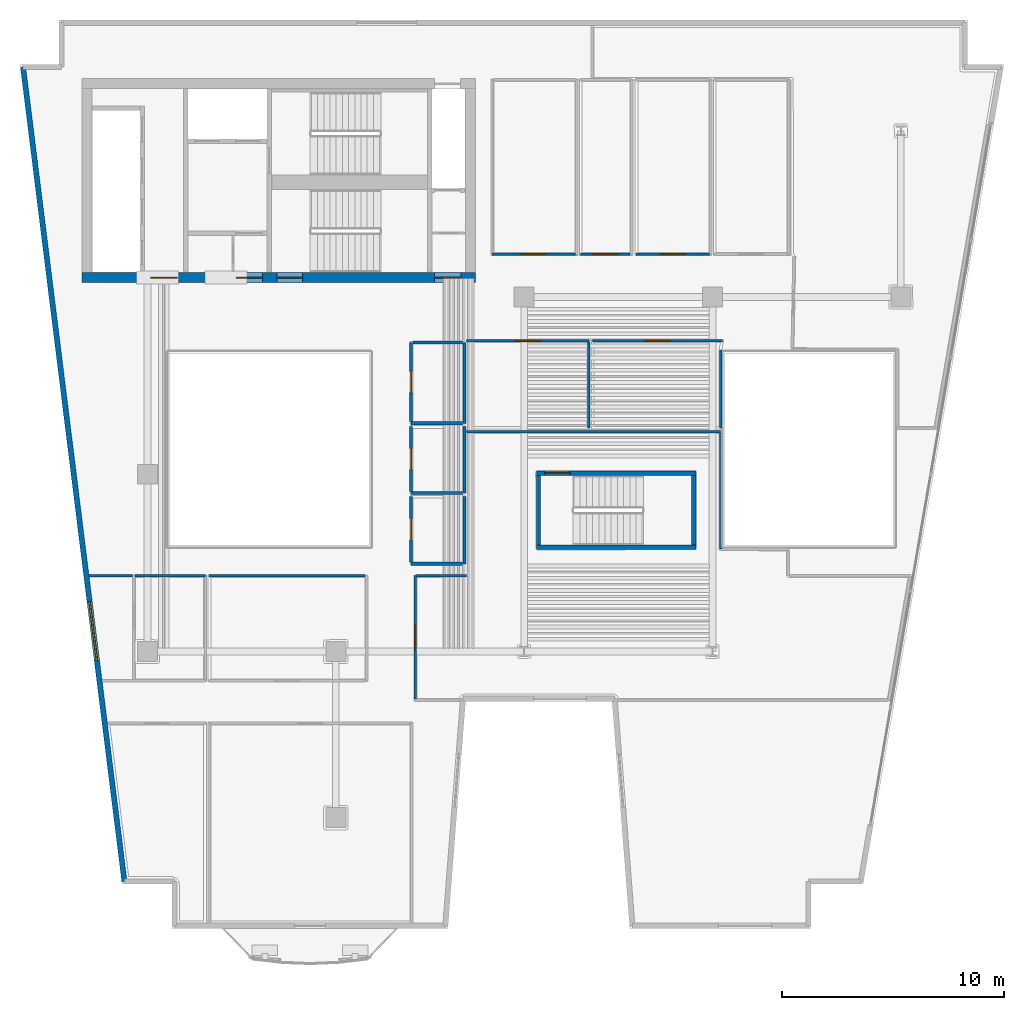
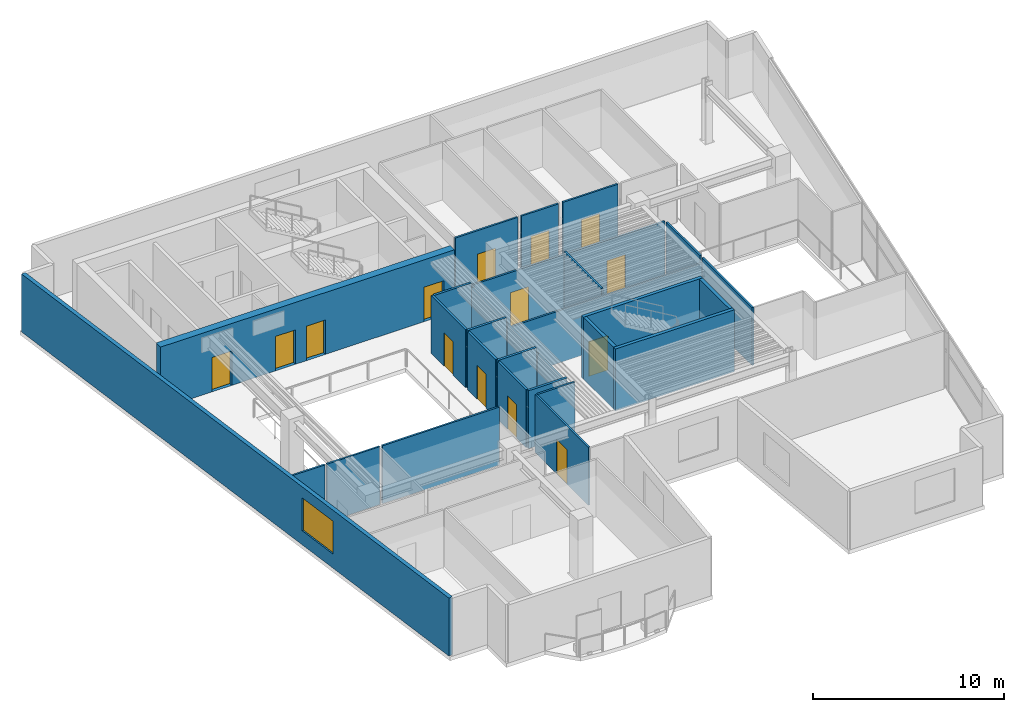
# One storey, part 4 of 9: 30 walls, 14 doors, 1 window, 15 openings.
"""IFC4 building model written with IfcOpenShell, lengths in metres."""

from ifc_helpers import new_model, si_unit, direction, frame, frame_2d, origin, place, context, subcontext, project, spatial, rectangle, extrude, material, layer, layer_set, type_object, element, fill, save


model = new_model("IFC4")

# Units and contexts
model_context = context("Model", 3, precision=1e-05, world=origin(), true_north=direction((0.0, 1.0)))
body_context = subcontext(model_context, "Body", "Model", "MODEL_VIEW")
ifc_project = project(units=[si_unit("LENGTHUNIT", "METRE"), si_unit("AREAUNIT", "SQUARE_METRE"), si_unit("VOLUMEUNIT", "CUBIC_METRE"), si_unit("PLANEANGLEUNIT", "RADIAN"), si_unit("MASSUNIT", "GRAM", prefix="KILO")], contexts=[model_context])

# Site, building, storey
site_placement = place(None, origin())
site = spatial("IfcSite", under=ifc_project, at=site_placement, CompositionType="ELEMENT")
building_placement = place(site_placement, origin())
building = spatial("IfcBuilding", under=site, at=building_placement, Name="Caeloran Harvest Quay", CompositionType="ELEMENT")
storey_placement = place(building_placement, frame((0.0, 0.0, 207.449951171875)))
storey = spatial("IfcBuildingStorey", under=building, at=storey_placement, Name="L49", CompositionType="ELEMENT", Elevation=207.449951171875)

# Wall, opening, window
ifc_material_1 = material(Name="Precast concrete C50/60", Category="concrete")
ifc_layer_1 = layer(ifc_material_1, 0.239990234375, Name="Precast concrete C50/60")
ifc_layer_set_1 = layer_set([ifc_layer_1], Name="Precast concrete C50/60")
wall_type_1 = type_object("IfcWallType", Name="ENV-WALL-EW-240", PredefinedType="STANDARD", material=ifc_layer_set_1)
wall_1_placement = place(storey_placement, frame((7.460205078125, 4.6201171875, 0.0), z_axis=(0.0, 0.0, 1.0), x_axis=(-0.123515576323, 0.992342633573, 0.0)))
wall_1 = element("IfcWall", 1, at=wall_1_placement, inside=storey, type_object=wall_type_1, Name="L49 Exterior Precast Concrete Facade Wall 3", PredefinedType="STANDARD", context=body_context, shape_type="SweptSolid", body=[
    extrude(rectangle(XDim=37.04345703125, YDim=0.239990234375, at=frame_2d((18.521728515625, 0.0))), origin(), (0.0, 0.0, 1.0), 3.699951171875),
])
opening_1_placement = place(wall_1_placement, frame((10.0322265625, 0.0, 0.89990234375)))
opening_1 = element("IfcOpeningElement", 2, at=opening_1_placement, cuts=wall_1, Name="Opening W-07", PredefinedType="OPENING", context=body_context, shape_type="SweptSolid", body=[
    extrude(rectangle(XDim=2.699951171875, YDim=2.10009765625, at=frame_2d((1.35009765625, 1.050048828125))), frame((0.0, 0.1298828125, 0.0), z_axis=(0.0, -1.0, 0.0), x_axis=(1.0, 0.0, 0.0)), (0.0, 0.0, 1.0), 0.260009765625),
])
ifc_material_2 = material(Name="Aluminium-Framed Low-E Laminated Glass", Category="aluminium")
window_type = type_object("IfcWindowType", Name="WIN-W-07", PartitioningType="DOUBLE_PANEL_VERTICAL", PredefinedType="WINDOW", material=ifc_material_2)
window_placement = place(opening_1_placement, origin())
window = element("IfcWindow", 3, at=window_placement, inside=storey, type_object=window_type, Name="L49 Facade Punched Window W-07", OverallHeight=2.10009765625, OverallWidth=2.699951171875, PartitioningType="DOUBLE_PANEL_VERTICAL", PredefinedType="WINDOW", context=body_context, shape_type="SweptSolid", body=[
    extrude(rectangle(XDim=2.699951171875, YDim=2.10009765625, at=frame_2d((1.35009765625, 1.050048828125))), frame((0.0, 0.030029296875, 0.0), z_axis=(0.0, -1.0, 0.0), x_axis=(1.0, 0.0, 0.0)), (0.0, 0.0, 1.0), 0.06005859375),
])
fill(opening_1, window)

# Wall, opening, door
ifc_material_3 = material(Name="Single-Stud Acoustic Gypsum Office Partition", Category="gypsum")
ifc_layer_2 = layer(ifc_material_3, 0.112060546875, Name="Single-Stud Acoustic Gypsum Office Partition")
ifc_layer_set_2 = layer_set([ifc_layer_2], Name="Single-Stud Acoustic Gypsum Office Partition")
wall_type_2 = type_object("IfcWallType", Name="INT-WALL-PW-112", PredefinedType="PARTITIONING", material=ifc_layer_set_2)
wall_2_placement = place(storey_placement, frame((27.819091796875, 32.919921875, 0.0), z_axis=(0.0, 0.0, 1.0), x_axis=(-1.0, 0.0, 0.0)))
wall_2 = element("IfcWall", 4, at=wall_2_placement, inside=storey, type_object=wall_type_2, Name="L49 Crop Phenotyping West Laboratory Partition Wall", PredefinedType="PARTITIONING", context=body_context, shape_type="SweptSolid", body=[
    extrude(rectangle(XDim=3.76904296875, YDim=0.112060546875, at=frame_2d((1.884521484375, 0.0))), origin(), (0.0, 0.0, 1.0), 3.699951171875),
])
opening_2_placement = place(wall_2_placement, frame((1.33447265625, 0.0, 0.0)))
opening_2 = element("IfcOpeningElement", 5, at=opening_2_placement, cuts=wall_2, Name="Opening ID-04", PredefinedType="OPENING", context=body_context, shape_type="SweptSolid", body=[
    extrude(rectangle(XDim=1.10009765625, YDim=2.199951171875, at=frame_2d((0.550048828125, 1.10009765625))), frame((0.0, 0.06591796875, 0.0), z_axis=(0.0, -1.0, 0.0), x_axis=(1.0, 0.0, 0.0)), (0.0, 0.0, 1.0), 0.132080078125),
])
ifc_material_4 = material(Name="Acoustic Walnut Veneer Executive Door", Category="wood")
door_type_1 = type_object("IfcDoorType", Name="INTDOOR-ID-04", OperationType="NOTDEFINED", PredefinedType="DOOR", material=ifc_material_4)
door_1_placement = place(opening_2_placement, origin())
door_1 = element("IfcDoor", 6, at=door_1_placement, inside=storey, type_object=door_type_1, Name="L49 Crop Phenotyping West Laboratory Access Door", OperationType="SINGLE_SWING_RIGHT", OverallHeight=2.199951171875, OverallWidth=1.10009765625, PredefinedType="DOOR", context=body_context, shape_type="SweptSolid", body=[
    extrude(rectangle(XDim=1.10009765625, YDim=2.199951171875, at=frame_2d((0.550048828125, 1.10009765625))), frame((0.0, 0.02490234375, 0.0), z_axis=(0.0, -1.0, 0.0), x_axis=(1.0, 0.0, 0.0)), (0.0, 0.0, 1.0), 0.050048828125),
])
fill(opening_2, door_1)

wall_3_placement = place(storey_placement, frame((30.2890625, 32.919921875, 0.0), z_axis=(0.0, 0.0, 1.0), x_axis=(-1.0, 0.0, 0.0)))
wall_3 = element("IfcWall", 7, at=wall_3_placement, inside=storey, type_object=wall_type_2, Name="L49 Genomics Sequencing East Studio Partition Wall", PredefinedType="PARTITIONING", context=body_context, shape_type="SweptSolid", body=[
    extrude(rectangle(XDim=2.2490234375, YDim=0.112060546875, at=frame_2d((1.12451171875, 0.0))), origin(), (0.0, 0.0, 1.0), 3.699951171875),
])
opening_3_placement = place(wall_3_placement, frame((0.574462890625, 0.0, 0.0)))
opening_3 = element("IfcOpeningElement", 8, at=opening_3_placement, cuts=wall_3, Name="Opening ID-04", PredefinedType="OPENING", context=body_context, shape_type="SweptSolid", body=[
    extrude(rectangle(XDim=1.10009765625, YDim=2.199951171875, at=frame_2d((0.550048828125, 1.10009765625))), frame((0.0, 0.06591796875, 0.0), z_axis=(0.0, -1.0, 0.0), x_axis=(1.0, 0.0, 0.0)), (0.0, 0.0, 1.0), 0.132080078125),
])
door_2_placement = place(opening_3_placement, origin())
door_2 = element("IfcDoor", 9, at=door_2_placement, inside=storey, type_object=door_type_1, Name="L49 Genomics Sequencing East Studio Access Door", OperationType="SINGLE_SWING_LEFT", OverallHeight=2.199951171875, OverallWidth=1.10009765625, PredefinedType="DOOR", context=body_context, shape_type="SweptSolid", body=[
    extrude(rectangle(XDim=1.10009765625, YDim=2.199951171875, at=frame_2d((0.550048828125, 1.10009765625))), frame((0.0, 0.02490234375, 0.0), z_axis=(0.0, -1.0, 0.0), x_axis=(1.0, 0.0, 0.0)), (0.0, 0.0, 1.0), 0.050048828125),
])
fill(opening_3, door_2)

wall_4_placement = place(storey_placement, frame((33.85888671875, 32.919921875, 0.0), z_axis=(0.0, 0.0, 1.0), x_axis=(-1.0, 0.0, 0.0)))
wall_4 = element("IfcWall", 10, at=wall_4_placement, inside=storey, type_object=wall_type_2, Name="L49 Agri-Genomics West Boardroom Partition Wall", PredefinedType="PARTITIONING", context=body_context, shape_type="SweptSolid", body=[
    extrude(rectangle(XDim=3.308837890625, YDim=0.112060546875, at=frame_2d((1.654296875, 0.0))), origin(), (0.0, 0.0, 1.0), 3.699951171875),
])
opening_4_placement = place(wall_4_placement, frame((1.1044921875, 0.0, 0.0)))
opening_4 = element("IfcOpeningElement", 11, at=opening_4_placement, cuts=wall_4, Name="Opening ID-04", PredefinedType="OPENING", context=body_context, shape_type="SweptSolid", body=[
    extrude(rectangle(XDim=1.10009765625, YDim=2.199951171875, at=frame_2d((0.550048828125, 1.10009765625))), frame((0.0, 0.06591796875, 0.0), z_axis=(0.0, -1.0, 0.0), x_axis=(1.0, 0.0, 0.0)), (0.0, 0.0, 1.0), 0.132080078125),
])
door_3_placement = place(opening_4_placement, origin())
door_3 = element("IfcDoor", 12, at=door_3_placement, inside=storey, type_object=door_type_1, Name="L49 Agri-Genomics West Boardroom Access Door", OperationType="SINGLE_SWING_RIGHT", OverallHeight=2.199951171875, OverallWidth=1.10009765625, PredefinedType="DOOR", context=body_context, shape_type="SweptSolid", body=[
    extrude(rectangle(XDim=1.10009765625, YDim=2.199951171875, at=frame_2d((0.550048828125, 1.10009765625))), frame((0.0, 0.02490234375, 0.0), z_axis=(0.0, -1.0, 0.0), x_axis=(1.0, 0.0, 0.0)), (0.0, 0.0, 1.0), 0.050048828125),
])
fill(opening_4, door_3)

# Walls
wall_5_placement = place(storey_placement, frame((5.868408203125, 18.419921875, 0.0), z_axis=(0.0, 0.0, 1.0), x_axis=(1.0, 0.0, 0.0)))
element("IfcWall", 13, at=wall_5_placement, inside=storey, type_object=wall_type_2, Name="Econometric Wet Laboratory Partition Wall", PredefinedType="PARTITIONING", context=body_context, shape_type="SweptSolid", body=[
    extrude(rectangle(XDim=1.95068359375, YDim=0.112060546875, at=frame_2d((0.975341796875, 0.0))), origin(), (0.0, 0.0, 1.0), 3.699951171875),
])
wall_6_placement = place(storey_placement, frame((7.94091796875, 18.419921875, 0.0), z_axis=(0.0, 0.0, 1.0), x_axis=(1.0, 0.0, 0.0)))
element("IfcWall", 14, at=wall_6_placement, inside=storey, type_object=wall_type_2, Name="Econometric Wet Laboratory Partition Wall", PredefinedType="PARTITIONING", context=body_context, shape_type="SweptSolid", body=[
    extrude(rectangle(XDim=3.17919921875, YDim=0.112060546875, at=frame_2d((1.589599609375, 0.0))), origin(), (0.0, 0.0, 1.0), 3.699951171875),
])
wall_7_placement = place(storey_placement, frame((11.280029296875, 18.419921875, 0.0), z_axis=(0.0, 0.0, 1.0), x_axis=(1.0, 0.0, 0.0)))
element("IfcWall", 15, at=wall_7_placement, inside=storey, type_object=wall_type_2, Name="Fellows Tasting Kitchen Partition Wall", PredefinedType="PARTITIONING", context=body_context, shape_type="SweptSolid", body=[
    extrude(rectangle(XDim=7.049072265625, YDim=0.112060546875, at=frame_2d((3.5244140625, 0.0))), origin(), (0.0, 0.0, 1.0), 3.699951171875),
])

# Wall, opening, door
wall_8_placement = place(storey_placement, frame((20.580078125, 12.861083984375, 0.0), z_axis=(0.0, 0.0, 1.0), x_axis=(0.0, 1.0, 0.0)))
wall_8 = element("IfcWall", 16, at=wall_8_placement, inside=storey, type_object=wall_type_2, Name="Roundtable Conference Room Partition Wall", PredefinedType="PARTITIONING", context=body_context, shape_type="SweptSolid", body=[
    extrude(rectangle(XDim=5.558837890625, YDim=0.112060546875, at=frame_2d((2.779296875, 0.0))), origin(), (0.0, 0.0, 1.0), 3.699951171875),
])
opening_5_placement = place(wall_8_placement, frame((2.2294921875, 0.0, 0.0)))
opening_5 = element("IfcOpeningElement", 17, at=opening_5_placement, cuts=wall_8, Name="Opening ID-04", PredefinedType="OPENING", context=body_context, shape_type="SweptSolid", body=[
    extrude(rectangle(XDim=1.10009765625, YDim=2.199951171875, at=frame_2d((0.550048828125, 1.10009765625))), frame((0.0, 0.06591796875, 0.0), z_axis=(0.0, -1.0, 0.0), x_axis=(1.0, 0.0, 0.0)), (0.0, 0.0, 1.0), 0.132080078125),
])
door_4_placement = place(opening_5_placement, origin())
door_4 = element("IfcDoor", 18, at=door_4_placement, inside=storey, type_object=door_type_1, Name="Roundtable Conference Room Access Door", OperationType="SINGLE_SWING_LEFT", OverallHeight=2.199951171875, OverallWidth=1.10009765625, PredefinedType="DOOR", context=body_context, shape_type="SweptSolid", body=[
    extrude(rectangle(XDim=1.10009765625, YDim=2.199951171875, at=frame_2d((0.550048828125, 1.10009765625))), frame((0.0, 0.02490234375, 0.0), z_axis=(0.0, -1.0, 0.0), x_axis=(1.0, 0.0, 0.0)), (0.0, 0.0, 1.0), 0.050048828125),
])
fill(opening_5, door_4)

# Walls
wall_9_placement = place(storey_placement, frame((20.64111328125, 18.419921875, 0.0), z_axis=(0.0, 0.0, 1.0), x_axis=(1.0, 0.0, 0.0)))
element("IfcWall", 19, at=wall_9_placement, inside=storey, type_object=wall_type_2, Name="Roundtable Conference Room Partition Wall", PredefinedType="PARTITIONING", context=body_context, shape_type="SweptSolid", body=[
    extrude(rectangle(XDim=2.248779296875, YDim=0.112060546875, at=frame_2d((1.12451171875, 0.0))), origin(), (0.0, 0.0, 1.0), 3.699951171875),
])
wall_10_placement = place(storey_placement, frame((22.909912109375, 24.919921875, 0.0), z_axis=(0.0, 0.0, 1.0), x_axis=(1.0, 0.0, 0.0)))
element("IfcWall", 20, at=wall_10_placement, inside=storey, type_object=wall_type_2, Name="Roundtable Conference Room Partition Wall", PredefinedType="PARTITIONING", context=body_context, shape_type="SweptSolid", body=[
    extrude(rectangle(XDim=11.460205078125, YDim=0.112060546875, at=frame_2d((5.72998046875, 0.0))), origin(), (0.0, 0.0, 1.0), 3.324951171875),
])
wall_11_placement = place(storey_placement, frame((34.3701171875, 24.85888671875, 0.0), z_axis=(0.0, 0.0, 1.0), x_axis=(0.0, -1.0, 0.0)))
element("IfcWall", 21, at=wall_11_placement, inside=storey, type_object=wall_type_2, Name="Roundtable Conference Room Partition Wall", PredefinedType="PARTITIONING", context=body_context, shape_type="SweptSolid", body=[
    extrude(rectangle(XDim=5.23876953125, YDim=0.112060546875, at=frame_2d((2.619384765625, 0.0))), origin(), (0.0, 0.0, 1.0), 3.699951171875),
])

# Wall, opening, door
wall_12_placement = place(storey_placement, frame((22.909912109375, 29.02001953125, 0.0), z_axis=(0.0, 0.0, 1.0), x_axis=(1.0, 0.0, 0.0)))
wall_12 = element("IfcWall", 22, at=wall_12_placement, inside=storey, type_object=wall_type_2, Name="Harbour Tea Kitchen Partition Wall", PredefinedType="PARTITIONING", context=body_context, shape_type="SweptSolid", body=[
    extrude(rectangle(XDim=5.510009765625, YDim=0.112060546875, at=frame_2d((2.7548828125, 0.0))), origin(), (0.0, 0.0, 1.0), 3.485107421875),
])
opening_6_placement = place(wall_12_placement, frame((2.205078125, 0.0, 0.0)))
opening_6 = element("IfcOpeningElement", 23, at=opening_6_placement, cuts=wall_12, Name="Opening ID-04", PredefinedType="OPENING", context=body_context, shape_type="SweptSolid", body=[
    extrude(rectangle(XDim=1.10009765625, YDim=2.199951171875, at=frame_2d((0.550048828125, 1.10009765625))), frame((0.0, 0.06591796875, 0.0), z_axis=(0.0, -1.0, 0.0), x_axis=(1.0, 0.0, 0.0)), (0.0, 0.0, 1.0), 0.132080078125),
])
door_5_placement = place(opening_6_placement, origin())
door_5 = element("IfcDoor", 24, at=door_5_placement, inside=storey, type_object=door_type_1, Name="Harbour Tea Kitchen Access Door", OperationType="SINGLE_SWING_RIGHT", OverallHeight=2.199951171875, OverallWidth=1.10009765625, PredefinedType="DOOR", context=body_context, shape_type="SweptSolid", body=[
    extrude(rectangle(XDim=1.10009765625, YDim=2.199951171875, at=frame_2d((0.550048828125, 1.10009765625))), frame((0.0, 0.02490234375, 0.0), z_axis=(0.0, -1.0, 0.0), x_axis=(1.0, 0.0, 0.0)), (0.0, 0.0, 1.0), 0.050048828125),
])
fill(opening_6, door_5)

# Walls
wall_13_placement = place(storey_placement, frame((28.419921875, 28.958984375, 0.0), z_axis=(0.0, 0.0, 1.0), x_axis=(0.0, -1.0, 0.0)))
element("IfcWall", 25, at=wall_13_placement, inside=storey, type_object=wall_type_2, Name="Harbour Tea Kitchen Partition Wall", PredefinedType="PARTITIONING", context=body_context, shape_type="SweptSolid", body=[
    extrude(rectangle(XDim=3.87890625, YDim=0.112060546875, at=frame_2d((1.939453125, 0.0))), origin(), (0.0, 0.0, 1.0), 3.699951171875),
])
wall_14_placement = place(storey_placement, frame((34.3701171875, 28.60009765625, 0.0), z_axis=(0.0, 0.0, 1.0), x_axis=(0.0, -1.0, 0.0)))
element("IfcWall", 26, at=wall_14_placement, inside=storey, type_object=wall_type_2, Name="Food-Security Culinary Kitchen 7 Partition Wall", PredefinedType="PARTITIONING", context=body_context, shape_type="SweptSolid", body=[
    extrude(rectangle(XDim=3.52001953125, YDim=0.112060546875, at=frame_2d((1.760009765625, 0.0))), origin(), (0.0, 0.0, 1.0), 3.699951171875),
])

# Wall, opening, door
wall_15_placement = place(storey_placement, frame((28.580078125, 29.02001953125, 0.0), z_axis=(0.0, 0.0, 1.0), x_axis=(1.0, 0.0, 0.0)))
wall_15 = element("IfcWall", 27, at=wall_15_placement, inside=storey, type_object=wall_type_2, Name="Food-Security Culinary Kitchen 7 Partition Wall", PredefinedType="PARTITIONING", context=body_context, shape_type="SweptSolid", body=[
    extrude(rectangle(XDim=5.871826171875, YDim=0.112060546875, at=frame_2d((2.93603515625, 0.0))), origin(), (0.0, 0.0, 1.0), 3.485107421875),
])
opening_7_placement = place(wall_15_placement, frame((2.385986328125, 0.0, 0.0)))
opening_7 = element("IfcOpeningElement", 28, at=opening_7_placement, cuts=wall_15, Name="Opening ID-04", PredefinedType="OPENING", context=body_context, shape_type="SweptSolid", body=[
    extrude(rectangle(XDim=1.10009765625, YDim=2.199951171875, at=frame_2d((0.550048828125, 1.10009765625))), frame((0.0, 0.06591796875, 0.0), z_axis=(0.0, -1.0, 0.0), x_axis=(1.0, 0.0, 0.0)), (0.0, 0.0, 1.0), 0.132080078125),
])
door_6_placement = place(opening_7_placement, origin())
door_6 = element("IfcDoor", 29, at=door_6_placement, inside=storey, type_object=door_type_1, Name="Food-Security Culinary Kitchen 7 Access Door", OperationType="SINGLE_SWING_LEFT", OverallHeight=2.199951171875, OverallWidth=1.10009765625, PredefinedType="DOOR", context=body_context, shape_type="SweptSolid", body=[
    extrude(rectangle(XDim=1.10009765625, YDim=2.199951171875, at=frame_2d((0.550048828125, 1.10009765625))), frame((0.0, 0.02490234375, 0.0), z_axis=(0.0, -1.0, 0.0), x_axis=(1.0, 0.0, 0.0)), (0.0, 0.0, 1.0), 0.050048828125),
])
fill(opening_7, door_6)

# Walls
ifc_material_5 = material(Name="Moisture-Resistant Cement-Board Sanitary Partition", Category="gypsum")
ifc_layer_3 = layer(ifc_material_5, 0.139892578125, Name="Moisture-Resistant Cement-Board Sanitary Partition")
ifc_layer_set_3 = layer_set([ifc_layer_3], Name="Moisture-Resistant Cement-Board Sanitary Partition")
wall_type_3 = type_object("IfcWallType", Name="INT-WALL-PW-140", PredefinedType="PARTITIONING", material=ifc_layer_set_3)
wall_16_placement = place(storey_placement, frame((22.800048828125, 28.949951171875, 0.0), z_axis=(0.0, 0.0, 1.0), x_axis=(0.0, -1.0, 0.0)))
element("IfcWall", 30, at=wall_16_placement, inside=storey, type_object=wall_type_3, Name="L49 Male Washroom WC Partition Wall", PredefinedType="PARTITIONING", context=body_context, shape_type="SweptSolid", body=[
    extrude(rectangle(XDim=3.64990234375, YDim=0.139892578125, at=frame_2d((1.824951171875, 0.0))), origin(), (0.0, 0.0, 1.0), 3.324951171875),
])
wall_17_placement = place(storey_placement, frame((22.72509765625, 25.300048828125, 0.0), z_axis=(0.0, 0.0, 1.0), x_axis=(-1.0, 0.0, 0.0)))
element("IfcWall", 31, at=wall_17_placement, inside=storey, type_object=wall_type_3, Name="L49 Male Washroom WC Partition Wall", PredefinedType="PARTITIONING", context=body_context, shape_type="SweptSolid", body=[
    extrude(rectangle(XDim=2.3251953125, YDim=0.139892578125, at=frame_2d((1.16259765625, 0.0))), origin(), (0.0, 0.0, 1.0), 3.699951171875),
])

# Wall, opening, door
wall_18_placement = place(storey_placement, frame((20.39990234375, 25.375, 0.0), z_axis=(0.0, 0.0, 1.0), x_axis=(0.0, 1.0, 0.0)))
wall_18 = element("IfcWall", 32, at=wall_18_placement, inside=storey, type_object=wall_type_3, Name="L49 Male Washroom WC Partition Wall", PredefinedType="PARTITIONING", context=body_context, shape_type="SweptSolid", body=[
    extrude(rectangle(XDim=3.574951171875, YDim=0.139892578125, at=frame_2d((1.78759765625, 0.0))), origin(), (0.0, 0.0, 1.0), 3.699951171875),
])
opening_8_placement = place(wall_18_placement, frame((1.3125, 0.0, 0.0)))
opening_8 = element("IfcOpeningElement", 33, at=opening_8_placement, cuts=wall_18, Name="Opening WC-01", PredefinedType="OPENING", context=body_context, shape_type="SweptSolid", body=[
    extrude(rectangle(XDim=0.949951171875, YDim=2.14990234375, at=frame_2d((0.47509765625, 1.074951171875))), frame((0.0, 0.080078125, 0.0), z_axis=(0.0, -1.0, 0.0), x_axis=(1.0, 0.0, 0.0)), (0.0, 0.0, 1.0), 0.159912109375),
])
ifc_material_6 = material(Name="High-Pressure Laminate Moisture-Resistant Timber", Category="wood")
door_type_2 = type_object("IfcDoorType", Name="INTDOOR-WC-01", OperationType="NOTDEFINED", PredefinedType="DOOR", material=ifc_material_6)
door_7_placement = place(opening_8_placement, origin())
door_7 = element("IfcDoor", 34, at=door_7_placement, inside=storey, type_object=door_type_2, Name="L49 Male Washroom WC Access Door", OperationType="SINGLE_SWING_RIGHT", OverallHeight=2.14990234375, OverallWidth=0.949951171875, PredefinedType="DOOR", context=body_context, shape_type="SweptSolid", body=[
    extrude(rectangle(XDim=0.949951171875, YDim=2.14990234375, at=frame_2d((0.47509765625, 1.074951171875))), frame((0.0, 0.02490234375, 0.0), z_axis=(0.0, -1.0, 0.0), x_axis=(1.0, 0.0, 0.0)), (0.0, 0.0, 1.0), 0.050048828125),
])
fill(opening_8, door_7)

# Walls
wall_19_placement = place(storey_placement, frame((20.47509765625, 28.949951171875, 0.0), z_axis=(0.0, 0.0, 1.0), x_axis=(1.0, 0.0, 0.0)))
element("IfcWall", 35, at=wall_19_placement, inside=storey, type_object=wall_type_3, Name="L49 Male Washroom WC Partition Wall", PredefinedType="PARTITIONING", context=body_context, shape_type="SweptSolid", body=[
    extrude(rectangle(XDim=2.25, YDim=0.139892578125, at=frame_2d((1.125, 0.0))), origin(), (0.0, 0.0, 1.0), 3.699951171875),
])
wall_20_placement = place(storey_placement, frame((22.800048828125, 25.14990234375, 0.0), z_axis=(0.0, 0.0, 1.0), x_axis=(0.0, -1.0, 0.0)))
element("IfcWall", 36, at=wall_20_placement, inside=storey, type_object=wall_type_3, Name="L49 Female Washroom WC Partition Wall", PredefinedType="PARTITIONING", context=body_context, shape_type="SweptSolid", body=[
    extrude(rectangle(XDim=3.0, YDim=0.139892578125, at=frame_2d((1.5, 0.0))), origin(), (0.0, 0.0, 1.0), 3.324951171875),
])
wall_21_placement = place(storey_placement, frame((22.72509765625, 22.14990234375, 0.0), z_axis=(0.0, 0.0, 1.0), x_axis=(-1.0, 0.0, 0.0)))
element("IfcWall", 37, at=wall_21_placement, inside=storey, type_object=wall_type_3, Name="L49 Female Washroom WC Partition Wall", PredefinedType="PARTITIONING", context=body_context, shape_type="SweptSolid", body=[
    extrude(rectangle(XDim=2.3251953125, YDim=0.139892578125, at=frame_2d((1.16259765625, 0.0))), origin(), (0.0, 0.0, 1.0), 3.699951171875),
])

# Wall, opening, door
wall_22_placement = place(storey_placement, frame((20.39990234375, 22.22509765625, 0.0), z_axis=(0.0, 0.0, 1.0), x_axis=(0.0, 1.0, 0.0)))
wall_22 = element("IfcWall", 38, at=wall_22_placement, inside=storey, type_object=wall_type_3, Name="L49 Female Washroom WC Partition Wall", PredefinedType="PARTITIONING", context=body_context, shape_type="SweptSolid", body=[
    extrude(rectangle(XDim=2.9248046875, YDim=0.139892578125, at=frame_2d((1.46240234375, 0.0))), origin(), (0.0, 0.0, 1.0), 3.699951171875),
])
opening_9_placement = place(wall_22_placement, frame((0.987548828125, 0.0, 0.0)))
opening_9 = element("IfcOpeningElement", 39, at=opening_9_placement, cuts=wall_22, Name="Opening WC-01", PredefinedType="OPENING", context=body_context, shape_type="SweptSolid", body=[
    extrude(rectangle(XDim=0.949951171875, YDim=2.14990234375, at=frame_2d((0.47509765625, 1.074951171875))), frame((0.0, 0.080078125, 0.0), z_axis=(0.0, -1.0, 0.0), x_axis=(1.0, 0.0, 0.0)), (0.0, 0.0, 1.0), 0.159912109375),
])
door_8_placement = place(opening_9_placement, origin())
door_8 = element("IfcDoor", 40, at=door_8_placement, inside=storey, type_object=door_type_2, Name="L49 Female Washroom WC Access Door", OperationType="SINGLE_SWING_LEFT", OverallHeight=2.14990234375, OverallWidth=0.949951171875, PredefinedType="DOOR", context=body_context, shape_type="SweptSolid", body=[
    extrude(rectangle(XDim=0.949951171875, YDim=2.14990234375, at=frame_2d((0.47509765625, 1.074951171875))), frame((0.0, 0.02490234375, 0.0), z_axis=(0.0, -1.0, 0.0), x_axis=(1.0, 0.0, 0.0)), (0.0, 0.0, 1.0), 0.050048828125),
])
fill(opening_9, door_8)

# Walls
wall_23_placement = place(storey_placement, frame((22.800048828125, 22.0, 0.0), z_axis=(0.0, 0.0, 1.0), x_axis=(0.0, -1.0, 0.0)))
element("IfcWall", 41, at=wall_23_placement, inside=storey, type_object=wall_type_3, Name="L49 Accessible Unisex Washroom WC Partition Wall", PredefinedType="PARTITIONING", context=body_context, shape_type="SweptSolid", body=[
    extrude(rectangle(XDim=3.0400390625, YDim=0.139892578125, at=frame_2d((1.52001953125, 0.0))), origin(), (0.0, 0.0, 1.0), 3.324951171875),
])
wall_24_placement = place(storey_placement, frame((22.72509765625, 18.9599609375, 0.0), z_axis=(0.0, 0.0, 1.0), x_axis=(-1.0, 0.0, 0.0)))
element("IfcWall", 42, at=wall_24_placement, inside=storey, type_object=wall_type_3, Name="L49 Accessible Unisex Washroom WC Partition Wall", PredefinedType="PARTITIONING", context=body_context, shape_type="SweptSolid", body=[
    extrude(rectangle(XDim=2.3251953125, YDim=0.139892578125, at=frame_2d((1.16259765625, 0.0))), origin(), (0.0, 0.0, 1.0), 3.699951171875),
])

# Wall, opening, door
wall_25_placement = place(storey_placement, frame((20.39990234375, 19.034912109375, 0.0), z_axis=(0.0, 0.0, 1.0), x_axis=(0.0, 1.0, 0.0)))
wall_25 = element("IfcWall", 43, at=wall_25_placement, inside=storey, type_object=wall_type_3, Name="L49 Accessible Unisex Washroom WC Partition Wall", PredefinedType="PARTITIONING", context=body_context, shape_type="SweptSolid", body=[
    extrude(rectangle(XDim=2.965087890625, YDim=0.139892578125, at=frame_2d((1.482421875, 0.0))), origin(), (0.0, 0.0, 1.0), 3.699951171875),
])
opening_10_placement = place(wall_25_placement, frame((1.007568359375, 0.0, 0.0)))
opening_10 = element("IfcOpeningElement", 44, at=opening_10_placement, cuts=wall_25, Name="Opening WC-01", PredefinedType="OPENING", context=body_context, shape_type="SweptSolid", body=[
    extrude(rectangle(XDim=0.949951171875, YDim=2.14990234375, at=frame_2d((0.47509765625, 1.074951171875))), frame((0.0, 0.080078125, 0.0), z_axis=(0.0, -1.0, 0.0), x_axis=(1.0, 0.0, 0.0)), (0.0, 0.0, 1.0), 0.159912109375),
])
door_9_placement = place(opening_10_placement, origin())
door_9 = element("IfcDoor", 45, at=door_9_placement, inside=storey, type_object=door_type_2, Name="L49 Accessible Unisex Washroom WC Access Door", OperationType="SINGLE_SWING_RIGHT", OverallHeight=2.14990234375, OverallWidth=0.949951171875, PredefinedType="DOOR", context=body_context, shape_type="SweptSolid", body=[
    extrude(rectangle(XDim=0.949951171875, YDim=2.14990234375, at=frame_2d((0.47509765625, 1.074951171875))), frame((0.0, 0.02490234375, 0.0), z_axis=(0.0, -1.0, 0.0), x_axis=(1.0, 0.0, 0.0)), (0.0, 0.0, 1.0), 0.050048828125),
])
fill(opening_10, door_9)

# Wall, openings, doors
ifc_material_7 = material(Name="Concrete C60/75", Category="concrete")
ifc_layer_4 = layer(ifc_material_7, 0.449951171875, Name="Concrete C60/75")
ifc_layer_set_4 = layer_set([ifc_layer_4], Name="Concrete C60/75")
wall_type_4 = type_object("IfcWallType", Name="STR-WALL-CW-450", PredefinedType="SHEAR", material=ifc_layer_set_4)
wall_26_placement = place(storey_placement, frame((5.550048828125, 31.875, 0.0), z_axis=(0.0, 0.0, 1.0), x_axis=(1.0, 0.0, 0.0)))
wall_26 = element("IfcWall", 46, at=wall_26_placement, inside=storey, type_object=wall_type_4, Name="L49 Rear Core Shear Wall S", PredefinedType="SHEAR", context=body_context, shape_type="SweptSolid", body=[
    extrude(rectangle(XDim=17.75, YDim=0.449951171875, at=frame_2d((8.875, 0.0))), origin(), (0.0, 0.0, 1.0), 3.949951171875),
])
opening_11_placement = place(wall_26_placement, frame((3.10009765625, 0.0, 0.0)))
opening_11 = element("IfcOpeningElement", 47, at=opening_11_placement, cuts=wall_26, Name="Opening FD-01", PredefinedType="OPENING", context=body_context, shape_type="SweptSolid", body=[
    extrude(rectangle(XDim=1.199951171875, YDim=2.199951171875, at=frame_2d((0.60009765625, 1.10009765625))), frame((0.0, 0.23486328125, 0.0), z_axis=(0.0, -1.0, 0.0), x_axis=(1.0, 0.0, 0.0)), (0.0, 0.0, 1.0), 0.469970703125),
])
opening_12_placement = place(wall_26_placement, frame((6.949951171875, 0.0, 0.0)))
opening_12 = element("IfcOpeningElement", 48, at=opening_12_placement, cuts=wall_26, Name="Opening FD-01", PredefinedType="OPENING", context=body_context, shape_type="SweptSolid", body=[
    extrude(rectangle(XDim=1.199951171875, YDim=2.199951171875, at=frame_2d((0.60009765625, 1.10009765625))), frame((0.0, 0.23486328125, 0.0), z_axis=(0.0, -1.0, 0.0), x_axis=(1.0, 0.0, 0.0)), (0.0, 0.0, 1.0), 0.469970703125),
])
opening_13_placement = place(wall_26_placement, frame((8.800048828125, 0.0, 0.0)))
opening_13 = element("IfcOpeningElement", 49, at=opening_13_placement, cuts=wall_26, Name="Opening SD-01", PredefinedType="OPENING", context=body_context, shape_type="SweptSolid", body=[
    extrude(rectangle(XDim=1.14990234375, YDim=2.199951171875, at=frame_2d((0.574951171875, 1.10009765625))), frame((0.0, 0.23486328125, 0.0), z_axis=(0.0, -1.0, 0.0), x_axis=(1.0, 0.0, 0.0)), (0.0, 0.0, 1.0), 0.469970703125),
])
opening_14_placement = place(wall_26_placement, frame((15.89990234375, 0.0, 0.0)))
opening_14 = element("IfcOpeningElement", 50, at=opening_14_placement, cuts=wall_26, Name="Opening FD-01", PredefinedType="OPENING", context=body_context, shape_type="SweptSolid", body=[
    extrude(rectangle(XDim=1.199951171875, YDim=2.199951171875, at=frame_2d((0.60009765625, 1.10009765625))), frame((0.0, 0.23486328125, 0.0), z_axis=(0.0, -1.0, 0.0), x_axis=(1.0, 0.0, 0.0)), (0.0, 0.0, 1.0), 0.469970703125),
])
ifc_material_8 = material(Name="Steel", Category="steel")
door_type_3 = type_object("IfcDoorType", Name="INTDOOR-FD-01", OperationType="NOTDEFINED", PredefinedType="DOOR", material=ifc_material_8)
door_10_placement = place(opening_11_placement, origin())
door_10 = element("IfcDoor", 51, at=door_10_placement, inside=storey, type_object=door_type_3, Name="L49 High-Rise Lift Lobby Fire Door", OperationType="SINGLE_SWING_RIGHT", OverallHeight=2.199951171875, OverallWidth=1.199951171875, PredefinedType="DOOR", context=body_context, shape_type="SweptSolid", body=[
    extrude(rectangle(XDim=1.199951171875, YDim=2.199951171875, at=frame_2d((0.60009765625, 1.10009765625))), frame((0.0, 0.02490234375, 0.0), z_axis=(0.0, -1.0, 0.0), x_axis=(1.0, 0.0, 0.0)), (0.0, 0.0, 1.0), 0.050048828125),
])
fill(opening_11, door_10)
door_11_placement = place(opening_12_placement, origin())
door_11 = element("IfcDoor", 52, at=door_11_placement, inside=storey, type_object=door_type_3, Name="L49 Firefighting Lobby Vestibule Fire Door", OperationType="SINGLE_SWING_LEFT", OverallHeight=2.199951171875, OverallWidth=1.199951171875, PredefinedType="DOOR", context=body_context, shape_type="SweptSolid", body=[
    extrude(rectangle(XDim=1.199951171875, YDim=2.199951171875, at=frame_2d((0.60009765625, 1.10009765625))), frame((0.0, 0.02490234375, 0.0), z_axis=(0.0, -1.0, 0.0), x_axis=(1.0, 0.0, 0.0)), (0.0, 0.0, 1.0), 0.050048828125),
])
fill(opening_12, door_11)
door_12_placement = place(opening_14_placement, origin())
door_12 = element("IfcDoor", 53, at=door_12_placement, inside=storey, type_object=door_type_3, Name="L49 Service Lift Lobby Fire Door", OperationType="SINGLE_SWING_LEFT", OverallHeight=2.199951171875, OverallWidth=1.199951171875, PredefinedType="DOOR", context=body_context, shape_type="SweptSolid", body=[
    extrude(rectangle(XDim=1.199951171875, YDim=2.199951171875, at=frame_2d((0.60009765625, 1.10009765625))), frame((0.0, 0.02490234375, 0.0), z_axis=(0.0, -1.0, 0.0), x_axis=(1.0, 0.0, 0.0)), (0.0, 0.0, 1.0), 0.050048828125),
])
fill(opening_14, door_12)
door_type_4 = type_object("IfcDoorType", Name="INTDOOR-SD-01", OperationType="NOTDEFINED", PredefinedType="DOOR", material=ifc_material_8)
door_13_placement = place(opening_13_placement, origin())
door_13 = element("IfcDoor", 54, at=door_13_placement, inside=storey, type_object=door_type_4, Name="L49 Protected Stair ST-C2 Exit Door", OperationType="SINGLE_SWING_RIGHT", OverallHeight=2.199951171875, OverallWidth=1.14990234375, PredefinedType="DOOR", context=body_context, shape_type="SweptSolid", body=[
    extrude(rectangle(XDim=1.14990234375, YDim=2.199951171875, at=frame_2d((0.574951171875, 1.10009765625))), frame((0.0, 0.02490234375, 0.0), z_axis=(0.0, -1.0, 0.0), x_axis=(1.0, 0.0, 0.0)), (0.0, 0.0, 1.0), 0.050048828125),
])
fill(opening_13, door_13)

# Wall
ifc_layer_5 = layer(ifc_material_7, 0.199951171875, Name="Concrete C60/75")
ifc_layer_set_5 = layer_set([ifc_layer_5], Name="Concrete C60/75")
wall_type_5 = type_object("IfcWallType", Name="STR-WALL-SW-200", PredefinedType="SHEAR", material=ifc_layer_set_5)
wall_27_placement = place(storey_placement, frame((26.050048828125, 19.699951171875, 0.0), z_axis=(0.0, 0.0, 1.0), x_axis=(1.0, 0.0, 0.0)))
element("IfcWall", 55, at=wall_27_placement, inside=storey, type_object=wall_type_5, Name="L49 Stair ST-W1 S RC Shaft Shear Wall", PredefinedType="SHEAR", context=body_context, shape_type="SweptSolid", body=[
    extrude(rectangle(XDim=7.199951171875, YDim=0.199951171875, at=frame_2d((3.60009765625, 0.0))), origin(), (0.0, 0.0, 1.0), 3.949951171875),
])

# Wall, opening, door
wall_28_placement = place(storey_placement, frame((26.050048828125, 23.050048828125, 0.0), z_axis=(0.0, 0.0, 1.0), x_axis=(1.0, 0.0, 0.0)))
wall_28 = element("IfcWall", 56, at=wall_28_placement, inside=storey, type_object=wall_type_5, Name="L49 Stair ST-W1 N RC Shaft Shear Wall", PredefinedType="SHEAR", context=body_context, shape_type="SweptSolid", body=[
    extrude(rectangle(XDim=7.199951171875, YDim=0.199951171875, at=frame_2d((3.60009765625, 0.0))), origin(), (0.0, 0.0, 1.0), 3.949951171875),
])
opening_15_placement = place(wall_28_placement, frame((0.3798828125, 0.0, 0.0)))
opening_15 = element("IfcOpeningElement", 57, at=opening_15_placement, cuts=wall_28, Name="Opening SD-01", PredefinedType="OPENING", context=body_context, shape_type="SweptSolid", body=[
    extrude(rectangle(XDim=1.14990234375, YDim=2.199951171875, at=frame_2d((0.574951171875, 1.10009765625))), frame((0.0, 0.10986328125, 0.0), z_axis=(0.0, -1.0, 0.0), x_axis=(1.0, 0.0, 0.0)), (0.0, 0.0, 1.0), 0.219970703125),
])
door_14_placement = place(opening_15_placement, origin())
door_14 = element("IfcDoor", 58, at=door_14_placement, inside=storey, type_object=door_type_4, Name="L49 Protected Exit Stair ST-W1 Fire Door", OperationType="SINGLE_SWING_LEFT", OverallHeight=2.199951171875, OverallWidth=1.14990234375, PredefinedType="DOOR", context=body_context, shape_type="SweptSolid", body=[
    extrude(rectangle(XDim=1.14990234375, YDim=2.199951171875, at=frame_2d((0.574951171875, 1.10009765625))), frame((0.0, 0.02490234375, 0.0), z_axis=(0.0, -1.0, 0.0), x_axis=(1.0, 0.0, 0.0)), (0.0, 0.0, 1.0), 0.050048828125),
])
fill(opening_15, door_14)

# Walls
for number, where, z_axis, x_axis, name in (
    (59, (26.14990234375, 19.81005859375, 0.0), (0.0, 0.0, 1.0), (0.0, 1.0, 0.0), "L49 Stair ST-W1 W RC Shaft Shear Wall"),
    (60, (33.14990234375, 19.81005859375, 0.0), (0.0, 0.0, 1.0), (0.0, 1.0, 0.0), "L49 Stair ST-W1 E RC Shaft Shear Wall"),
):
    element("IfcWall", number, at=place(storey_placement, frame(where, z_axis=z_axis, x_axis=x_axis)), inside=storey, type_object=wall_type_5, Name=name, PredefinedType="SHEAR", context=body_context, shape_type="SweptSolid", body=[
        extrude(rectangle(XDim=3.1298828125, YDim=0.199951171875, at=frame_2d((1.56494140625, 0.0))), origin(), (0.0, 0.0, 1.0), 3.949951171875),
    ])

save(model, "model.ifc")
